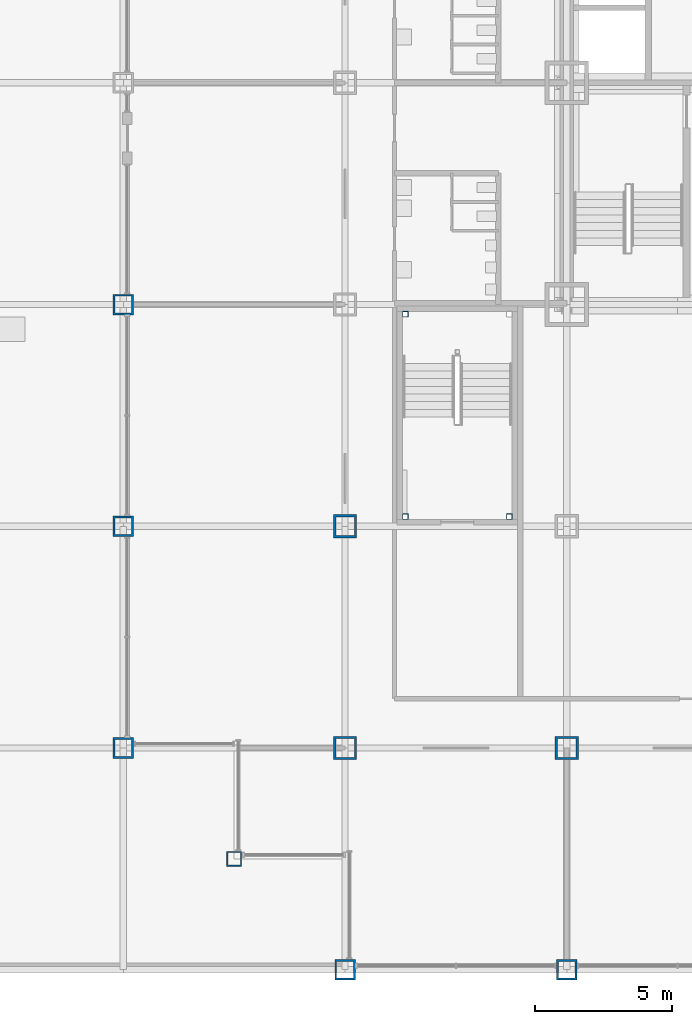
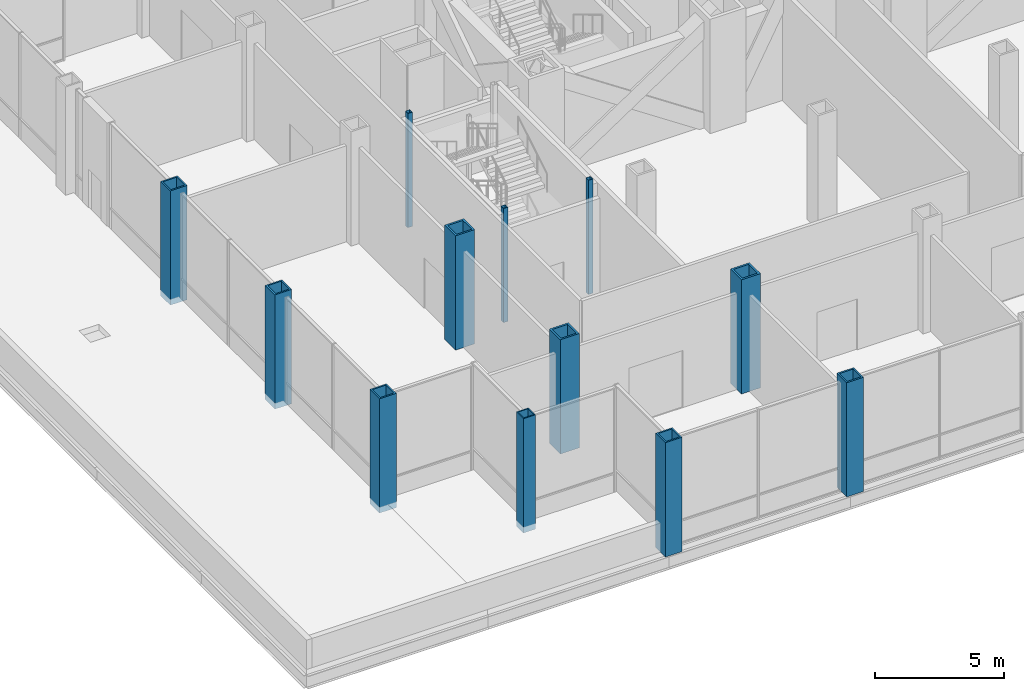
# One storey, part 1 of 26: 12 columns.
"""IFC4 building model written with IfcOpenShell, lengths in metres."""

from ifc_helpers import new_model, si_unit, direction, frame, origin, origin_2d, place, context, subcontext, project, spatial, hollow_rectangle, extrude, material, material_profile, profile_set, type_object, element, save


model = new_model("IFC4")

# Units and contexts
model_context = context("Model", 3, precision=1e-05, world=origin(), true_north=direction((0.0, 1.0)))
body_context = subcontext(model_context, "Body", "Model", "MODEL_VIEW")
ifc_project = project(units=[si_unit("LENGTHUNIT", "METRE"), si_unit("AREAUNIT", "SQUARE_METRE"), si_unit("VOLUMEUNIT", "CUBIC_METRE"), si_unit("PLANEANGLEUNIT", "RADIAN"), si_unit("MASSUNIT", "GRAM", prefix="KILO")], contexts=[model_context])

# Site, building, storey
site_placement = place(None, origin())
site = spatial("IfcSite", under=ifc_project, at=site_placement, CompositionType="ELEMENT")
building_placement = place(site_placement, origin())
building = spatial("IfcBuilding", under=site, at=building_placement, Name="Kopane Lantern Tower", CompositionType="ELEMENT")
storey_placement = place(building_placement, frame((0.0, 0.0, 16.800048828125)))
storey = spatial("IfcBuildingStorey", under=building, at=storey_placement, Name="L03", CompositionType="ELEMENT", Elevation=16.800048828125)

# Columns
ifc_material_1 = material(Name="Steel S355JR", Category="steel")
ifc_material_profile_1 = material_profile(ifc_material_1, hollow_rectangle(XDim=0.550048828125, YDim=0.550048828125, WallThickness=0.050048828125, at=origin_2d()), Name="BOX 550x550x50")
ifc_profile_set_1 = profile_set([ifc_material_profile_1], Name="Steel S355JR")
column_type_1 = type_object("IfcColumnType", Name="COLUMN BOX 550x550x50", PredefinedType="COLUMN", material=ifc_profile_set_1)
column_placement = place(storey_placement, frame((4.050048828125, 4.050048828125, 0.0), z_axis=(0.0, 0.0, 1.0), x_axis=(1.0, 0.0, 0.0)))
element("IfcColumn", 1, at=column_placement, inside=storey, type_object=column_type_1, Name="Column 4.05/4.05 L03", PredefinedType="COLUMN", context=body_context, shape_type="SweptSolid", body=[
    extrude(hollow_rectangle(XDim=0.550048828125, YDim=0.550048828125, WallThickness=0.050048828125, at=origin_2d()), origin(), (0.0, 0.0, 1.0), 5.39990234375),
])
ifc_material_2 = material(Name="Steel S355JR", Category="steel")
ifc_material_profile_2 = material_profile(ifc_material_2, hollow_rectangle(XDim=0.75, YDim=0.75, WallThickness=0.070068359375, at=origin_2d()), Name="BOX 750x750x70")
ifc_profile_set_2 = profile_set([ifc_material_profile_2], Name="Steel S355JR")
column_type_2 = type_object("IfcColumnType", Name="COLUMN BOX 750x750x70", PredefinedType="COLUMN", material=ifc_profile_set_2)
for number, where, z_axis, x_axis, name in (
    (2, (0.0, 8.10009765625, 0.0), (0.0, 0.0, 1.0), (1.0, 0.0, 0.0), "Column 2/C L03"),
    (3, (0.0, 16.199951171875, 0.0), (0.0, 0.0, 1.0), (1.0, 0.0, 0.0), "Column 2/D L03"),
    (4, (0.0, 24.300048828125, 0.0), (0.0, 0.0, 1.0), (1.0, 0.0, 0.0), "Column 2/E L03"),
    (5, (8.10009765625, 0.0, 0.0), (0.0, 0.0, 1.0), (1.0, 0.0, 0.0), "Column 3/B L03"),
    (6, (16.199951171875, 0.0, 0.0), (0.0, 0.0, 1.0), (1.0, 0.0, 0.0), "Column 4/B L03"),
):
    element("IfcColumn", number, at=place(storey_placement, frame(where, z_axis=z_axis, x_axis=x_axis)), inside=storey, type_object=column_type_2, Name=name, PredefinedType="COLUMN", context=body_context, shape_type="SweptSolid", body=[
        extrude(hollow_rectangle(XDim=0.75, YDim=0.75, WallThickness=0.070068359375, at=origin_2d()), origin(), (0.0, 0.0, 1.0), 5.39990234375),
    ])
ifc_material_3 = material(Name="Steel S355JR", Category="steel")
ifc_material_profile_3 = material_profile(ifc_material_3, hollow_rectangle(XDim=0.85009765625, YDim=0.85009765625, WallThickness=0.0849609375, at=origin_2d()), Name="BOX 850x850x85")
ifc_profile_set_3 = profile_set([ifc_material_profile_3], Name="Steel S355JR")
column_type_3 = type_object("IfcColumnType", Name="COLUMN BOX 850x850x85", PredefinedType="COLUMN", material=ifc_profile_set_3)
for number, where, z_axis, x_axis, name in (
    (7, (8.10009765625, 8.10009765625, 0.0), (0.0, 0.0, 1.0), (1.0, 0.0, 0.0), "Column 3/C L03"),
    (8, (8.10009765625, 16.199951171875, 0.0), (0.0, 0.0, 1.0), (1.0, 0.0, 0.0), "Column 3/D L03"),
    (9, (16.199951171875, 8.10009765625, 0.0), (0.0, 0.0, 1.0), (1.0, 0.0, 0.0), "Column 4/C L03"),
):
    element("IfcColumn", number, at=place(storey_placement, frame(where, z_axis=z_axis, x_axis=x_axis)), inside=storey, type_object=column_type_3, Name=name, PredefinedType="COLUMN", context=body_context, shape_type="SweptSolid", body=[
        extrude(hollow_rectangle(XDim=0.85009765625, YDim=0.85009765625, WallThickness=0.0849609375, at=origin_2d()), origin(), (0.0, 0.0, 1.0), 5.39990234375),
    ])
ifc_material_4 = material(Name="Steel S355JR", Category="steel")
ifc_material_profile_4 = material_profile(ifc_material_4, hollow_rectangle(XDim=0.199951171875, YDim=0.199951171875, WallThickness=0.011962890625, at=origin_2d()), Name="BOX 200x200x12")
ifc_profile_set_4 = profile_set([ifc_material_profile_4], Name="Steel S355JR")
column_type_4 = type_object("IfcColumnType", Name="STAIR POST BOX 200x200x12", PredefinedType="COLUMN", material=ifc_profile_set_4)
for number, where, z_axis, x_axis, name in (
    (10, (10.300048828125, 23.949951171875, 0.0), (0.0, 0.0, 1.0), (1.0, 0.0, 0.0), "Stair post ST3 NW L03"),
    (11, (10.300048828125, 16.550048828125, 0.0), (0.0, 0.0, 1.0), (1.0, 0.0, 0.0), "Stair post ST3 SW L03"),
    (12, (14.10009765625, 16.550048828125, 0.0), (0.0, 0.0, 1.0), (1.0, 0.0, 0.0), "Stair post ST3 SE L03"),
):
    element("IfcColumn", number, at=place(storey_placement, frame(where, z_axis=z_axis, x_axis=x_axis)), inside=storey, type_object=column_type_4, Name=name, PredefinedType="COLUMN", context=body_context, shape_type="SweptSolid", body=[
        extrude(hollow_rectangle(XDim=0.199951171875, YDim=0.199951171875, WallThickness=0.011962890625, at=origin_2d()), origin(), (0.0, 0.0, 1.0), 5.39990234375),
    ])

save(model, "model.ifc")
